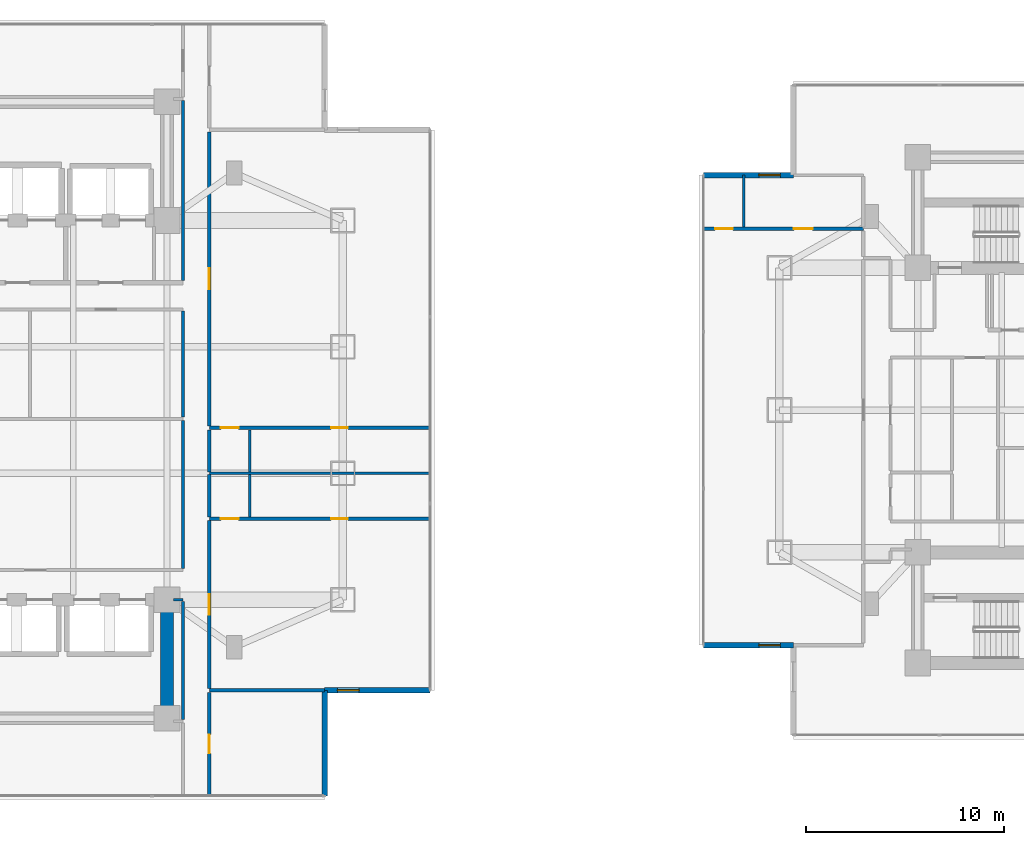
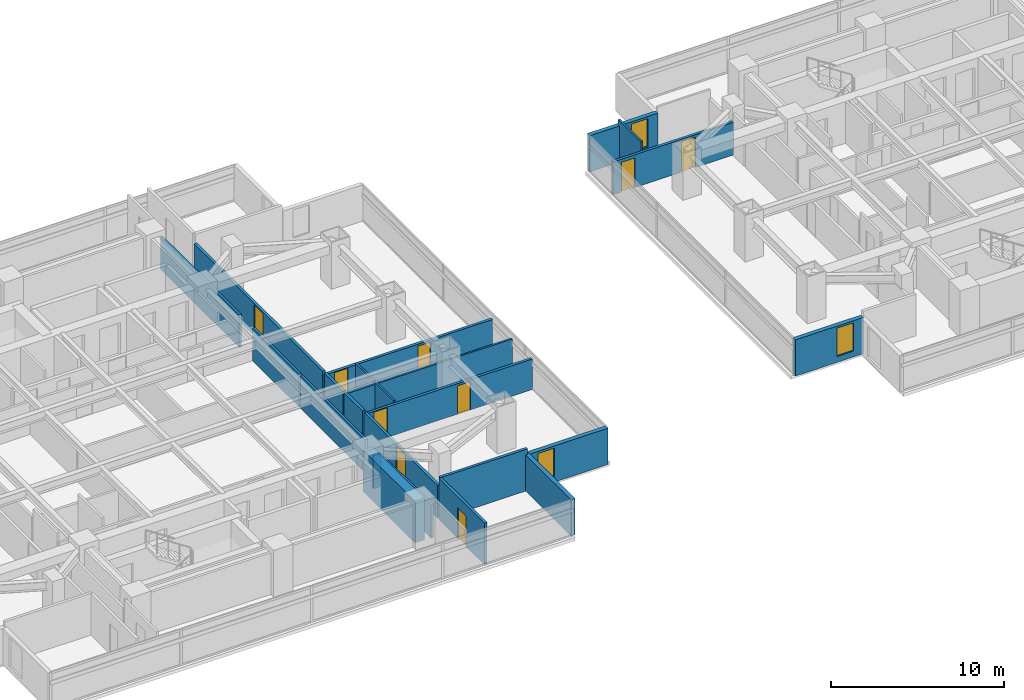
# One storey, part 16 of 26: 23 walls, 9 doors, 3 windows, 12 openings.
"""IFC4 building model written with IfcOpenShell, lengths in metres."""

from ifc_helpers import new_model, si_unit, direction, frame, frame_2d, origin, place, context, subcontext, project, spatial, rectangle, extrude, material, layer, layer_set, type_object, element, fill, save


model = new_model("IFC4")

# Units and contexts
model_context = context("Model", 3, precision=1e-05, world=origin(), true_north=direction((0.0, 1.0)))
body_context = subcontext(model_context, "Body", "Model", "MODEL_VIEW")
ifc_project = project(units=[si_unit("LENGTHUNIT", "METRE"), si_unit("AREAUNIT", "SQUARE_METRE"), si_unit("VOLUMEUNIT", "CUBIC_METRE"), si_unit("PLANEANGLEUNIT", "RADIAN"), si_unit("MASSUNIT", "GRAM", prefix="KILO")], contexts=[model_context])

# Site, building, storey
site_placement = place(None, origin())
site = spatial("IfcSite", under=ifc_project, at=site_placement, CompositionType="ELEMENT")
building_placement = place(site_placement, origin())
building = spatial("IfcBuilding", under=site, at=building_placement, Name="Mirazonda Arch Towers", CompositionType="ELEMENT")
storey_placement = place(building_placement, frame((0.0, 0.0, 78.5)))
storey = spatial("IfcBuildingStorey", under=building, at=storey_placement, Name="L22", CompositionType="ELEMENT", Elevation=78.5)

# Wall
ifc_material_1 = material(Name="Concrete C60/75", Category="concrete")
ifc_layer_1 = layer(ifc_material_1, 0.64990234375, Name="WALL-CORE-650")
ifc_layer_set_1 = layer_set([ifc_layer_1], Name="Concrete C60/75")
wall_type_1 = type_object("IfcWallType", Name="WALL-CORE-650", PredefinedType="SHEAR", material=ifc_layer_set_1)
wall_1_placement = place(storey_placement, frame((30.0, 12.39990234375, 0.0), z_axis=(0.0, 0.0, 1.0), x_axis=(0.0, 1.0, 0.0)))
element("IfcWall", 1, at=wall_1_placement, inside=storey, type_object=wall_type_1, Name="L22 T1S-E Core Shear Wall", PredefinedType="SHEAR", context=body_context, shape_type="SweptSolid", body=[
    extrude(rectangle(XDim=6.0, YDim=0.64990234375, at=frame_2d((3.0, 0.0))), origin(), (0.0, 0.0, 1.0), 2.93994140625),
])

# Wall, opening, window
ifc_material_2 = material(Name="Precast Concrete C40/50", Category="concrete")
ifc_layer_2 = layer(ifc_material_2, 0.280029296875, Name="WALL-EXT-WALL-280")
ifc_layer_set_2 = layer_set([ifc_layer_2], Name="Precast Concrete C40/50")
wall_type_2 = type_object("IfcWallType", Name="WALL-EXT-WALL-280", PredefinedType="SOLIDWALL", material=ifc_layer_set_2)
wall_2_placement = place(storey_placement, frame((37.97998046875, 13.81591796875, 0.0), z_axis=(0.0, 0.0, 1.0), x_axis=(1.0, 0.0, 0.0)))
wall_2 = element("IfcWall", 2, at=wall_2_placement, inside=storey, type_object=wall_type_2, Name="L22 T1 Corner Notch Return Wall WL-L22-T1-CSE1", PredefinedType="SOLIDWALL", context=body_context, shape_type="SweptSolid", body=[
    extrude(rectangle(XDim=5.340087890625, YDim=0.280029296875, at=frame_2d((2.669921875, 0.0))), origin(), (0.0, 0.0, 1.0), 2.56005859375),
])
opening_1_placement = place(wall_2_placement, frame((0.64990234375, 0.0, 0.409912109375)))
opening_1 = element("IfcOpeningElement", 3, at=opening_1_placement, cuts=wall_2, Name="Opening WN-108", PredefinedType="OPENING", context=body_context, shape_type="SweptSolid", body=[
    extrude(rectangle(XDim=1.10009765625, YDim=2.0, at=frame_2d((0.550048828125, 1.0))), frame((0.0, 0.14990234375, 0.0), z_axis=(0.0, -1.0, 0.0), x_axis=(1.0, 0.0, 0.0)), (0.0, 0.0, 1.0), 0.300048828125),
])
ifc_material_3 = material(Name="Insulated Low-E Solar Glass", Category="glass")
window_type = type_object("IfcWindowType", Name="WIN-NOTCH-1100x2000", PartitioningType="SINGLE_PANEL", PredefinedType="WINDOW", material=ifc_material_3)
window_1_placement = place(opening_1_placement, origin())
window_1 = element("IfcWindow", 4, at=window_1_placement, inside=storey, type_object=window_type, Name="L22 Punched Facade Window WN-L22-T1-CSE1", OverallHeight=2.0, OverallWidth=1.10009765625, PartitioningType="SINGLE_PANEL", PredefinedType="WINDOW", context=body_context, shape_type="SweptSolid", body=[
    extrude(rectangle(XDim=1.10009765625, YDim=2.0, at=frame_2d((0.550048828125, 1.0))), frame((0.0, 0.030029296875, 0.0), z_axis=(0.0, -1.0, 0.0), x_axis=(1.0, 0.0, 0.0)), (0.0, 0.0, 1.0), 0.06005859375),
])
fill(opening_1, window_1)

# Wall
wall_3_placement = place(storey_placement, frame((37.97998046875, 8.47607421875, 0.0), z_axis=(0.0, 0.0, 1.0), x_axis=(0.0, 1.0, 0.0)))
element("IfcWall", 5, at=wall_3_placement, inside=storey, type_object=wall_type_2, Name="L22 T1 Corner Notch Return Wall WL-L22-T1-CSE2", PredefinedType="SOLIDWALL", context=body_context, shape_type="SweptSolid", body=[
    extrude(rectangle(XDim=5.33984375, YDim=0.280029296875, at=frame_2d((2.669921875, 0.0))), origin(), (0.0, 0.0, 1.0), 2.56005859375),
])

# Wall, opening, window
wall_4_placement = place(storey_placement, frame((57.156005859375, 16.103515625, 0.0), z_axis=(0.0, 0.0, 1.0), x_axis=(1.0, 0.0, 0.0)))
wall_4 = element("IfcWall", 6, at=wall_4_placement, inside=storey, type_object=wall_type_2, Name="L22 T2 Corner Notch Return Wall WL-L22-T2-CSW2", PredefinedType="SOLIDWALL", context=body_context, shape_type="SweptSolid", body=[
    extrude(rectangle(XDim=4.5458984375, YDim=0.280029296875, at=frame_2d((2.27294921875, 0.0))), origin(), (0.0, 0.0, 1.0), 2.56005859375),
])
opening_2_placement = place(wall_4_placement, frame((2.7958984375, 0.0, 0.409912109375)))
opening_2 = element("IfcOpeningElement", 7, at=opening_2_placement, cuts=wall_4, Name="Opening WN-108", PredefinedType="OPENING", context=body_context, shape_type="SweptSolid", body=[
    extrude(rectangle(XDim=1.10009765625, YDim=2.0, at=frame_2d((0.550048828125, 1.0))), frame((0.0, 0.14990234375, 0.0), z_axis=(0.0, -1.0, 0.0), x_axis=(1.0, 0.0, 0.0)), (0.0, 0.0, 1.0), 0.300048828125),
])
window_2_placement = place(opening_2_placement, origin())
window_2 = element("IfcWindow", 8, at=window_2_placement, inside=storey, type_object=window_type, Name="L22 Punched Facade Window WN-L22-T2-CSW2", OverallHeight=2.0, OverallWidth=1.10009765625, PartitioningType="SINGLE_PANEL", PredefinedType="WINDOW", context=body_context, shape_type="SweptSolid", body=[
    extrude(rectangle(XDim=1.10009765625, YDim=2.0, at=frame_2d((0.550048828125, 1.0))), frame((0.0, 0.030029296875, 0.0), z_axis=(0.0, -1.0, 0.0), x_axis=(1.0, 0.0, 0.0)), (0.0, 0.0, 1.0), 0.06005859375),
])
fill(opening_2, window_2)

wall_5_placement = place(storey_placement, frame((61.701904296875, 39.896484375, 0.0), z_axis=(0.0, 0.0, 1.0), x_axis=(-1.0, 0.0, 0.0)))
wall_5 = element("IfcWall", 9, at=wall_5_placement, inside=storey, type_object=wall_type_2, Name="L22 T2 Corner Notch Return Wall WL-L22-T2-CNW1", PredefinedType="SOLIDWALL", context=body_context, shape_type="SweptSolid", body=[
    extrude(rectangle(XDim=4.5458984375, YDim=0.280029296875, at=frame_2d((2.27294921875, 0.0))), origin(), (0.0, 0.0, 1.0), 2.56005859375),
])
opening_3_placement = place(wall_5_placement, frame((0.64990234375, 0.0, 0.409912109375)))
opening_3 = element("IfcOpeningElement", 10, at=opening_3_placement, cuts=wall_5, Name="Opening WN-108", PredefinedType="OPENING", context=body_context, shape_type="SweptSolid", body=[
    extrude(rectangle(XDim=1.10009765625, YDim=2.0, at=frame_2d((0.550048828125, 1.0))), frame((0.0, 0.14990234375, 0.0), z_axis=(0.0, -1.0, 0.0), x_axis=(1.0, 0.0, 0.0)), (0.0, 0.0, 1.0), 0.300048828125),
])
window_3_placement = place(opening_3_placement, origin())
window_3 = element("IfcWindow", 11, at=window_3_placement, inside=storey, type_object=window_type, Name="L22 Punched Facade Window WN-L22-T2-CNW1", OverallHeight=2.0, OverallWidth=1.10009765625, PartitioningType="SINGLE_PANEL", PredefinedType="WINDOW", context=body_context, shape_type="SweptSolid", body=[
    extrude(rectangle(XDim=1.10009765625, YDim=2.0, at=frame_2d((0.550048828125, 1.0))), frame((0.0, 0.030029296875, 0.0), z_axis=(0.0, -1.0, 0.0), x_axis=(1.0, 0.0, 0.0)), (0.0, 0.0, 1.0), 0.06005859375),
])
fill(opening_3, window_3)

# Walls
ifc_material_4 = material(Name="Fire-Rated Gypsum Stud Partition")
ifc_layer_3 = layer(ifc_material_4, 0.14990234375, Name="WALL-PART-CORR-150")
ifc_layer_set_3 = layer_set([ifc_layer_3], Name="Fire-Rated Gypsum Stud Partition")
wall_type_3 = type_object("IfcWallType", Name="WALL-PART-CORR-150", PredefinedType="PARTITIONING", material=ifc_layer_set_3)
wall_6_placement = place(storey_placement, frame((30.320068359375, 18.39990234375, 0.0), z_axis=(0.0, 0.0, 1.0), x_axis=(1.0, 0.0, 0.0)))
element("IfcWall", 12, at=wall_6_placement, inside=storey, type_object=wall_type_3, Name="L22 Interior Partition 013", PredefinedType="PARTITIONING", context=body_context, shape_type="SweptSolid", body=[
    extrude(rectangle(XDim=0.47998046875, YDim=0.14990234375, at=frame_2d((0.239990234375, 0.0))), origin(), (0.0, 0.0, 1.0), 2.31591796875),
])
wall_7_placement = place(storey_placement, frame((30.800048828125, 12.3349609375, 0.0), z_axis=(0.0, 0.0, 1.0), x_axis=(0.0, 1.0, 0.0)))
element("IfcWall", 13, at=wall_7_placement, inside=storey, type_object=wall_type_3, Name="L22 Interior Partition 094", PredefinedType="PARTITIONING", context=body_context, shape_type="SweptSolid", body=[
    extrude(rectangle(XDim=5.97998046875, YDim=0.14990234375, at=frame_2d((2.989990234375, 0.0))), origin(), (0.0, 0.0, 1.0), 2.31591796875),
])
wall_8_placement = place(storey_placement, frame((30.800048828125, 19.985107421875, 0.0), z_axis=(0.0, 0.0, 1.0), x_axis=(0.0, 1.0, 0.0)))
element("IfcWall", 14, at=wall_8_placement, inside=storey, type_object=wall_type_3, Name="L22 Interior Partition 095", PredefinedType="PARTITIONING", context=body_context, shape_type="SweptSolid", body=[
    extrude(rectangle(XDim=7.48583984375, YDim=0.14990234375, at=frame_2d((3.742919921875, 0.0))), origin(), (0.0, 0.0, 1.0), 2.31591796875),
])
wall_9_placement = place(storey_placement, frame((30.800048828125, 27.64111328125, 0.0), z_axis=(0.0, 0.0, 1.0), x_axis=(0.0, 1.0, 0.0)))
element("IfcWall", 15, at=wall_9_placement, inside=storey, type_object=wall_type_3, Name="L22 Interior Partition 096", PredefinedType="PARTITIONING", context=body_context, shape_type="SweptSolid", body=[
    extrude(rectangle(XDim=5.373779296875, YDim=0.14990234375, at=frame_2d((2.68701171875, 0.0))), origin(), (0.0, 0.0, 1.0), 2.31591796875),
])
wall_10_placement = place(storey_placement, frame((30.800048828125, 34.570068359375, 0.0), z_axis=(0.0, 0.0, 1.0), x_axis=(0.0, 1.0, 0.0)))
element("IfcWall", 16, at=wall_10_placement, inside=storey, type_object=wall_type_3, Name="L22 Interior Partition 097", PredefinedType="PARTITIONING", context=body_context, shape_type="SweptSolid", body=[
    extrude(rectangle(XDim=9.094970703125, YDim=0.14990234375, at=frame_2d((4.54736328125, 0.0))), origin(), (0.0, 0.0, 1.0), 2.31591796875),
])
ifc_material_5 = material(Name="Fire-Rated Gypsum Twin-Stud Assembly")
ifc_layer_4 = layer(ifc_material_5, 0.179931640625, Name="WALL-PART-DEMISE-180")
ifc_layer_set_4 = layer_set([ifc_layer_4], Name="Fire-Rated Gypsum Twin-Stud Assembly")
wall_type_4 = type_object("IfcWallType", Name="WALL-PART-DEMISE-180", PredefinedType="PARTITIONING", material=ifc_layer_set_4)
wall_11_placement = place(storey_placement, frame((32.139892578125, 13.81591796875, 0.0), z_axis=(0.0, 0.0, 1.0), x_axis=(1.0, 0.0, 0.0)))
element("IfcWall", 17, at=wall_11_placement, inside=storey, type_object=wall_type_4, Name="L22 Interior Partition 005", PredefinedType="PARTITIONING", context=body_context, shape_type="SweptSolid", body=[
    extrude(rectangle(XDim=5.820068359375, YDim=0.179931640625, at=frame_2d((2.91015625, 0.0))), origin(), (0.0, 0.0, 1.0), 2.93994140625),
])

# Wall, openings, doors
wall_12_placement = place(storey_placement, frame((32.139892578125, 22.5, 0.0), z_axis=(0.0, 0.0, 1.0), x_axis=(1.0, 0.0, 0.0)))
wall_12 = element("IfcWall", 18, at=wall_12_placement, inside=storey, type_object=wall_type_4, Name="L22 Interior Partition 020", PredefinedType="PARTITIONING", context=body_context, shape_type="SweptSolid", body=[
    extrude(rectangle(XDim=11.18017578125, YDim=0.179931640625, at=frame_2d((5.590087890625, 0.0))), origin(), (0.0, 0.0, 1.0), 2.158935546875),
])
opening_4_placement = place(wall_12_placement, frame((6.1650390625, 0.0, 0.0)))
opening_4 = element("IfcOpeningElement", 19, at=opening_4_placement, cuts=wall_12, Name="Opening DR-128", PredefinedType="OPENING", context=body_context, shape_type="SweptSolid", body=[
    extrude(rectangle(XDim=0.85009765625, YDim=2.010009765625, at=frame_2d((0.425048828125, 1.0048828125))), frame((0.0, 0.099853515625, 0.0), z_axis=(0.0, -1.0, 0.0), x_axis=(1.0, 0.0, 0.0)), (0.0, 0.0, 1.0), 0.199951171875),
])
opening_5_placement = place(wall_12_placement, frame((0.590087890625, 0.0, 0.0)))
opening_5 = element("IfcOpeningElement", 20, at=opening_5_placement, cuts=wall_12, Name="Opening DR-120", PredefinedType="OPENING", context=body_context, shape_type="SweptSolid", body=[
    extrude(rectangle(XDim=0.89990234375, YDim=2.10009765625, at=frame_2d((0.449951171875, 1.050048828125))), frame((0.0, 0.099853515625, 0.0), z_axis=(0.0, -1.0, 0.0), x_axis=(1.0, 0.0, 0.0)), (0.0, 0.0, 1.0), 0.199951171875),
])
ifc_material_6 = material(Name="Architectural Brushed Steel S355", Category="steel")
door_type_1 = type_object("IfcDoorType", Name="DOOR-RISER-FD60-850", OperationType="NOTDEFINED", PredefinedType="DOOR", material=ifc_material_6)
door_1_placement = place(opening_4_placement, origin())
door_1 = element("IfcDoor", 21, at=door_1_placement, inside=storey, type_object=door_type_1, Name="L22 Suite Bedroom 1 Door", OperationType="SINGLE_SWING_RIGHT", OverallHeight=2.010009765625, OverallWidth=0.85009765625, PredefinedType="DOOR", context=body_context, shape_type="SweptSolid", body=[
    extrude(rectangle(XDim=0.85009765625, YDim=2.010009765625, at=frame_2d((0.425048828125, 1.0048828125))), frame((0.0, 0.02490234375, 0.0), z_axis=(0.0, -1.0, 0.0), x_axis=(1.0, 0.0, 0.0)), (0.0, 0.0, 1.0), 0.050048828125),
])
fill(opening_4, door_1)
door_type_2 = type_object("IfcDoorType", Name="DOOR-WC-900", OperationType="NOTDEFINED", PredefinedType="DOOR", material=ifc_material_6)
door_2_placement = place(opening_5_placement, origin())
door_2 = element("IfcDoor", 22, at=door_2_placement, inside=storey, type_object=door_type_2, Name="L22 Suite En-Suite Bathroom 1 Door", OperationType="SINGLE_SWING_LEFT", OverallHeight=2.10009765625, OverallWidth=0.89990234375, PredefinedType="DOOR", context=body_context, shape_type="SweptSolid", body=[
    extrude(rectangle(XDim=0.89990234375, YDim=2.10009765625, at=frame_2d((0.449951171875, 1.050048828125))), frame((0.0, 0.02490234375, 0.0), z_axis=(0.0, -1.0, 0.0), x_axis=(1.0, 0.0, 0.0)), (0.0, 0.0, 1.0), 0.050048828125),
])
fill(opening_5, door_2)

wall_13_placement = place(storey_placement, frame((32.139892578125, 27.10009765625, 0.0), z_axis=(0.0, 0.0, 1.0), x_axis=(1.0, 0.0, 0.0)))
wall_13 = element("IfcWall", 23, at=wall_13_placement, inside=storey, type_object=wall_type_4, Name="L22 Interior Partition 029", PredefinedType="PARTITIONING", context=body_context, shape_type="SweptSolid", body=[
    extrude(rectangle(XDim=11.18017578125, YDim=0.179931640625, at=frame_2d((5.590087890625, 0.0))), origin(), (0.0, 0.0, 1.0), 2.158935546875),
])
opening_6_placement = place(wall_13_placement, frame((6.1650390625, 0.0, 0.0)))
opening_6 = element("IfcOpeningElement", 24, at=opening_6_placement, cuts=wall_13, Name="Opening DR-128", PredefinedType="OPENING", context=body_context, shape_type="SweptSolid", body=[
    extrude(rectangle(XDim=0.85009765625, YDim=2.010009765625, at=frame_2d((0.425048828125, 1.0048828125))), frame((0.0, 0.099853515625, 0.0), z_axis=(0.0, -1.0, 0.0), x_axis=(1.0, 0.0, 0.0)), (0.0, 0.0, 1.0), 0.199951171875),
])
opening_7_placement = place(wall_13_placement, frame((0.590087890625, 0.0, 0.0)))
opening_7 = element("IfcOpeningElement", 25, at=opening_7_placement, cuts=wall_13, Name="Opening DR-120", PredefinedType="OPENING", context=body_context, shape_type="SweptSolid", body=[
    extrude(rectangle(XDim=0.89990234375, YDim=2.10009765625, at=frame_2d((0.449951171875, 1.050048828125))), frame((0.0, 0.099853515625, 0.0), z_axis=(0.0, -1.0, 0.0), x_axis=(1.0, 0.0, 0.0)), (0.0, 0.0, 1.0), 0.199951171875),
])
door_3_placement = place(opening_6_placement, origin())
door_3 = element("IfcDoor", 26, at=door_3_placement, inside=storey, type_object=door_type_1, Name="L22 Suite Bedroom 2 Door", OperationType="SINGLE_SWING_LEFT", OverallHeight=2.010009765625, OverallWidth=0.85009765625, PredefinedType="DOOR", context=body_context, shape_type="SweptSolid", body=[
    extrude(rectangle(XDim=0.85009765625, YDim=2.010009765625, at=frame_2d((0.425048828125, 1.0048828125))), frame((0.0, 0.02490234375, 0.0), z_axis=(0.0, -1.0, 0.0), x_axis=(1.0, 0.0, 0.0)), (0.0, 0.0, 1.0), 0.050048828125),
])
fill(opening_6, door_3)
door_4_placement = place(opening_7_placement, origin())
door_4 = element("IfcDoor", 27, at=door_4_placement, inside=storey, type_object=door_type_2, Name="L22 Suite En-Suite Bathroom 2 Door", OperationType="SINGLE_SWING_RIGHT", OverallHeight=2.10009765625, OverallWidth=0.89990234375, PredefinedType="DOOR", context=body_context, shape_type="SweptSolid", body=[
    extrude(rectangle(XDim=0.89990234375, YDim=2.10009765625, at=frame_2d((0.449951171875, 1.050048828125))), frame((0.0, 0.02490234375, 0.0), z_axis=(0.0, -1.0, 0.0), x_axis=(1.0, 0.0, 0.0)), (0.0, 0.0, 1.0), 0.050048828125),
])
fill(opening_7, door_4)

wall_14_placement = place(storey_placement, frame((57.156005859375, 37.176025390625, 0.0), z_axis=(0.0, 0.0, 1.0), x_axis=(1.0, 0.0, 0.0)))
wall_14 = element("IfcWall", 28, at=wall_14_placement, inside=storey, type_object=wall_type_4, Name="L22 Interior Partition 045", PredefinedType="PARTITIONING", context=body_context, shape_type="SweptSolid", body=[
    extrude(rectangle(XDim=8.093994140625, YDim=0.179931640625, at=frame_2d((4.046875, 0.0))), origin(), (0.0, 0.0, 1.0), 2.31591796875),
])
opening_8_placement = place(wall_14_placement, frame((4.572021484375, 0.0, 0.0)))
opening_8 = element("IfcOpeningElement", 29, at=opening_8_placement, cuts=wall_14, Name="Opening DR-104", PredefinedType="OPENING", context=body_context, shape_type="SweptSolid", body=[
    extrude(rectangle(XDim=0.949951171875, YDim=2.14990234375, at=frame_2d((0.47509765625, 1.074951171875))), frame((0.0, 0.099853515625, 0.0), z_axis=(0.0, -1.0, 0.0), x_axis=(1.0, 0.0, 0.0)), (0.0, 0.0, 1.0), 0.199951171875),
])
opening_9_placement = place(wall_14_placement, frame((0.590087890625, 0.0, 0.0)))
opening_9 = element("IfcOpeningElement", 30, at=opening_9_placement, cuts=wall_14, Name="Opening DR-120", PredefinedType="OPENING", context=body_context, shape_type="SweptSolid", body=[
    extrude(rectangle(XDim=0.89990234375, YDim=2.10009765625, at=frame_2d((0.449951171875, 1.050048828125))), frame((0.0, 0.099853515625, 0.0), z_axis=(0.0, -1.0, 0.0), x_axis=(1.0, 0.0, 0.0)), (0.0, 0.0, 1.0), 0.199951171875),
])
door_type_3 = type_object("IfcDoorType", Name="DOOR-ROOM-950", OperationType="NOTDEFINED", PredefinedType="DOOR", material=ifc_material_6)
door_5_placement = place(opening_8_placement, origin())
door_5 = element("IfcDoor", 31, at=door_5_placement, inside=storey, type_object=door_type_3, Name="L22 Suite Bedroom 1 Door", OperationType="SINGLE_SWING_LEFT", OverallHeight=2.14990234375, OverallWidth=0.949951171875, PredefinedType="DOOR", context=body_context, shape_type="SweptSolid", body=[
    extrude(rectangle(XDim=0.949951171875, YDim=2.14990234375, at=frame_2d((0.47509765625, 1.074951171875))), frame((0.0, 0.02490234375, 0.0), z_axis=(0.0, -1.0, 0.0), x_axis=(1.0, 0.0, 0.0)), (0.0, 0.0, 1.0), 0.050048828125),
])
fill(opening_8, door_5)
door_6_placement = place(opening_9_placement, origin())
door_6 = element("IfcDoor", 32, at=door_6_placement, inside=storey, type_object=door_type_2, Name="L22 Suite En-Suite Bathroom 1 Door", OperationType="SINGLE_SWING_RIGHT", OverallHeight=2.10009765625, OverallWidth=0.89990234375, PredefinedType="DOOR", context=body_context, shape_type="SweptSolid", body=[
    extrude(rectangle(XDim=0.89990234375, YDim=2.10009765625, at=frame_2d((0.449951171875, 1.050048828125))), frame((0.0, 0.02490234375, 0.0), z_axis=(0.0, -1.0, 0.0), x_axis=(1.0, 0.0, 0.0)), (0.0, 0.0, 1.0), 0.050048828125),
])
fill(opening_9, door_6)

# Wall, opening, door
wall_15_placement = place(storey_placement, frame((32.139892578125, 8.47607421875, 0.0), z_axis=(0.0, 0.0, 1.0), x_axis=(0.0, 1.0, 0.0)))
wall_15 = element("IfcWall", 33, at=wall_15_placement, inside=storey, type_object=wall_type_4, Name="L22 Interior Partition 099", PredefinedType="PARTITIONING", context=body_context, shape_type="SweptSolid", body=[
    extrude(rectangle(XDim=5.239990234375, YDim=0.179931640625, at=frame_2d((2.6201171875, 0.0))), origin(), (0.0, 0.0, 1.0), 2.93994140625),
])
opening_10_placement = place(wall_15_placement, frame((2.14501953125, 0.0, 0.0)))
opening_10 = element("IfcOpeningElement", 34, at=opening_10_placement, cuts=wall_15, Name="Opening DR-104", PredefinedType="OPENING", context=body_context, shape_type="SweptSolid", body=[
    extrude(rectangle(XDim=0.949951171875, YDim=2.14990234375, at=frame_2d((0.47509765625, 1.074951171875))), frame((0.0, 0.099853515625, 0.0), z_axis=(0.0, -1.0, 0.0), x_axis=(1.0, 0.0, 0.0)), (0.0, 0.0, 1.0), 0.199951171875),
])
door_7_placement = place(opening_10_placement, origin())
door_7 = element("IfcDoor", 35, at=door_7_placement, inside=storey, type_object=door_type_3, Name="L22 South Horizon Lounge Alcove East Door", OperationType="SINGLE_SWING_RIGHT", OverallHeight=2.14990234375, OverallWidth=0.949951171875, PredefinedType="DOOR", context=body_context, shape_type="SweptSolid", body=[
    extrude(rectangle(XDim=0.949951171875, YDim=2.14990234375, at=frame_2d((0.47509765625, 1.074951171875))), frame((0.0, 0.02490234375, 0.0), z_axis=(0.0, -1.0, 0.0), x_axis=(1.0, 0.0, 0.0)), (0.0, 0.0, 1.0), 0.050048828125),
])
fill(opening_10, door_7)

wall_16_placement = place(storey_placement, frame((32.139892578125, 13.916015625, 0.0), z_axis=(0.0, 0.0, 1.0), x_axis=(0.0, 1.0, 0.0)))
wall_16 = element("IfcWall", 36, at=wall_16_placement, inside=storey, type_object=wall_type_4, Name="L22 Interior Partition 100", PredefinedType="PARTITIONING", context=body_context, shape_type="SweptSolid", body=[
    extrude(rectangle(XDim=8.48388671875, YDim=0.179931640625, at=frame_2d((4.241943359375, 0.0))), origin(), (0.0, 0.0, 1.0), 2.31591796875),
])
opening_11_placement = place(wall_16_placement, frame((3.717041015625, 0.0, 0.0)))
opening_11 = element("IfcOpeningElement", 37, at=opening_11_placement, cuts=wall_16, Name="Opening DR-121", PredefinedType="OPENING", context=body_context, shape_type="SweptSolid", body=[
    extrude(rectangle(XDim=1.050048828125, YDim=2.199951171875, at=frame_2d((0.52490234375, 1.10009765625))), frame((0.0, 0.099853515625, 0.0), z_axis=(0.0, -1.0, 0.0), x_axis=(1.0, 0.0, 0.0)), (0.0, 0.0, 1.0), 0.199951171875),
])
door_type_4 = type_object("IfcDoorType", Name="DOOR-SUITE-FD60-1050", OperationType="NOTDEFINED", PredefinedType="DOOR", material=ifc_material_6)
door_8_placement = place(opening_11_placement, origin())
door_8 = element("IfcDoor", 38, at=door_8_placement, inside=storey, type_object=door_type_4, Name="L22 Presidential Hotel Suite 1 Door", OperationType="SINGLE_SWING_LEFT", OverallHeight=2.199951171875, OverallWidth=1.050048828125, PredefinedType="DOOR", context=body_context, shape_type="SweptSolid", body=[
    extrude(rectangle(XDim=1.050048828125, YDim=2.199951171875, at=frame_2d((0.52490234375, 1.10009765625))), frame((0.0, 0.02490234375, 0.0), z_axis=(0.0, -1.0, 0.0), x_axis=(1.0, 0.0, 0.0)), (0.0, 0.0, 1.0), 0.050048828125),
])
fill(opening_11, door_8)

# Walls
for number, where, z_axis, x_axis, name in (
    (39, (32.139892578125, 22.60009765625, 0.0), (0.0, 0.0, 1.0), (0.0, 1.0, 0.0), "L22 Interior Partition 101"),
    (40, (32.139892578125, 24.87255859375, 0.0), (0.0, 0.0, 1.0), (0.0, 1.0, 0.0), "L22 Interior Partition 102"),
):
    element("IfcWall", number, at=place(storey_placement, frame(where, z_axis=z_axis, x_axis=x_axis)), inside=storey, type_object=wall_type_4, Name=name, PredefinedType="PARTITIONING", context=body_context, shape_type="SweptSolid", body=[
        extrude(rectangle(XDim=2.12744140625, YDim=0.179931640625, at=frame_2d((1.063720703125, 0.0))), origin(), (0.0, 0.0, 1.0), 2.31591796875),
    ])

# Wall, opening, door
wall_17_placement = place(storey_placement, frame((32.139892578125, 27.199951171875, 0.0), z_axis=(0.0, 0.0, 1.0), x_axis=(0.0, 1.0, 0.0)))
wall_17 = element("IfcWall", 41, at=wall_17_placement, inside=storey, type_object=wall_type_4, Name="L22 Interior Partition 103", PredefinedType="PARTITIONING", context=body_context, shape_type="SweptSolid", body=[
    extrude(rectangle(XDim=14.884033203125, YDim=0.179931640625, at=frame_2d((7.44189453125, 0.0))), origin(), (0.0, 0.0, 1.0), 2.31591796875),
])
opening_12_placement = place(wall_17_placement, frame((6.9169921875, 0.0, 0.0)))
opening_12 = element("IfcOpeningElement", 42, at=opening_12_placement, cuts=wall_17, Name="Opening DR-121", PredefinedType="OPENING", context=body_context, shape_type="SweptSolid", body=[
    extrude(rectangle(XDim=1.050048828125, YDim=2.199951171875, at=frame_2d((0.52490234375, 1.10009765625))), frame((0.0, 0.099853515625, 0.0), z_axis=(0.0, -1.0, 0.0), x_axis=(1.0, 0.0, 0.0)), (0.0, 0.0, 1.0), 0.199951171875),
])
door_9_placement = place(opening_12_placement, origin())
door_9 = element("IfcDoor", 43, at=door_9_placement, inside=storey, type_object=door_type_4, Name="L22 Presidential Hotel Suite 2 Door", OperationType="SINGLE_SWING_RIGHT", OverallHeight=2.199951171875, OverallWidth=1.050048828125, PredefinedType="DOOR", context=body_context, shape_type="SweptSolid", body=[
    extrude(rectangle(XDim=1.050048828125, YDim=2.199951171875, at=frame_2d((0.52490234375, 1.10009765625))), frame((0.0, 0.02490234375, 0.0), z_axis=(0.0, -1.0, 0.0), x_axis=(1.0, 0.0, 0.0)), (0.0, 0.0, 1.0), 0.050048828125),
])
fill(opening_12, door_9)

# Walls
ifc_material_7 = material(Name="Acoustic Fire-Rated Gypsum Partition")
ifc_layer_5 = layer(ifc_material_7, 0.125, Name="WALL-PART-UNIT-125")
ifc_layer_set_5 = layer_set([ifc_layer_5], Name="Acoustic Fire-Rated Gypsum Partition")
wall_type_5 = type_object("IfcWallType", Name="WALL-PART-UNIT-125", PredefinedType="PARTITIONING", material=ifc_layer_set_5)
wall_18_placement = place(storey_placement, frame((32.139892578125, 24.800048828125, 0.0), z_axis=(0.0, 0.0, 1.0), x_axis=(1.0, 0.0, 0.0)))
element("IfcWall", 44, at=wall_18_placement, inside=storey, type_object=wall_type_5, Name="L22 Interior Partition 024", PredefinedType="PARTITIONING", context=body_context, shape_type="SweptSolid", body=[
    extrude(rectangle(XDim=11.18017578125, YDim=0.125, at=frame_2d((5.590087890625, 0.0))), origin(), (0.0, 0.0, 1.0), 2.158935546875),
])
for number, where, z_axis, x_axis, name in (
    (45, (34.179931640625, 22.60009765625, 0.0), (0.0, 0.0, 1.0), (0.0, 1.0, 0.0), "L22 Interior Partition 105"),
    (46, (34.179931640625, 24.87255859375, 0.0), (0.0, 0.0, 1.0), (0.0, 1.0, 0.0), "L22 Interior Partition 106"),
):
    element("IfcWall", number, at=place(storey_placement, frame(where, z_axis=z_axis, x_axis=x_axis)), inside=storey, type_object=wall_type_5, Name=name, PredefinedType="PARTITIONING", context=body_context, shape_type="SweptSolid", body=[
        extrude(rectangle(XDim=2.12744140625, YDim=0.125, at=frame_2d((1.063720703125, 0.0))), origin(), (0.0, 0.0, 1.0), 2.31591796875),
    ])
wall_19_placement = place(storey_placement, frame((59.196044921875, 37.27587890625, 0.0), z_axis=(0.0, 0.0, 1.0), x_axis=(0.0, 1.0, 0.0)))
element("IfcWall", 47, at=wall_19_placement, inside=storey, type_object=wall_type_5, Name="L22 Interior Partition 107", PredefinedType="PARTITIONING", context=body_context, shape_type="SweptSolid", body=[
    extrude(rectangle(XDim=2.6201171875, YDim=0.125, at=frame_2d((1.31005859375, 0.0))), origin(), (0.0, 0.0, 1.0), 2.93994140625),
])

save(model, "model.ifc")
